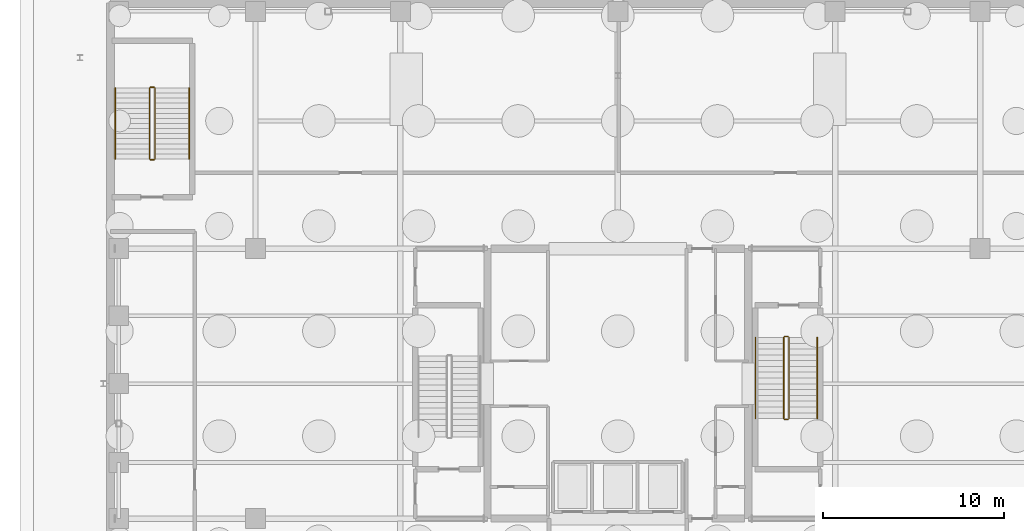
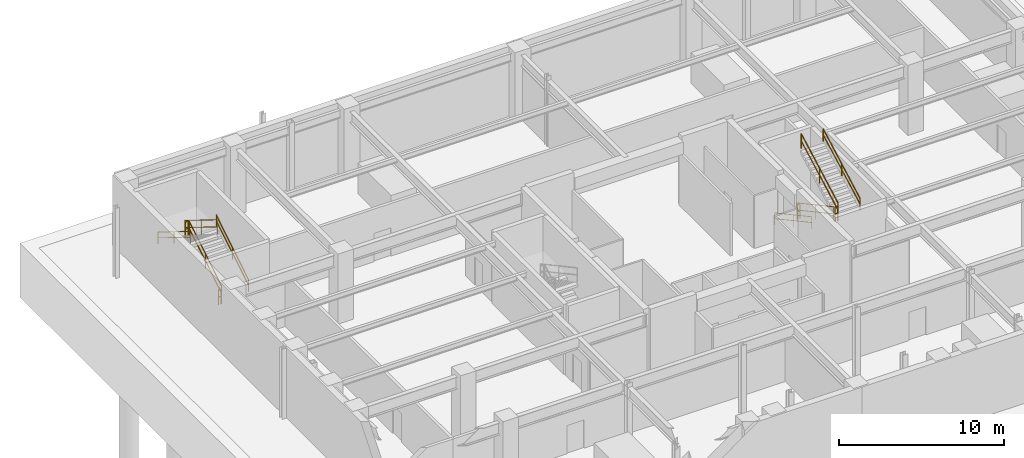
# One storey, part 16 of 18: 12 railings.
"""IFC4 building model written with IfcOpenShell, lengths in metres."""

from ifc_helpers import new_model, si_unit, direction, frame, origin, origin_2d, place, context, subcontext, project, spatial, circle, extrude, material, type_object, element, save


model = new_model("IFC4")

# Units and contexts
model_context = context("Model", 3, precision=1e-05, world=origin(), true_north=direction((0.0, 1.0)))
body_context = subcontext(model_context, "Body", "Model", "MODEL_VIEW")
ifc_project = project(units=[si_unit("LENGTHUNIT", "METRE"), si_unit("AREAUNIT", "SQUARE_METRE"), si_unit("VOLUMEUNIT", "CUBIC_METRE"), si_unit("PLANEANGLEUNIT", "RADIAN"), si_unit("MASSUNIT", "GRAM", prefix="KILO")], contexts=[model_context])

# Site, building, storey
site_placement = place(None, origin())
site = spatial("IfcSite", under=ifc_project, at=site_placement, CompositionType="ELEMENT")
building_placement = place(site_placement, origin())
building = spatial("IfcBuilding", under=site, at=building_placement, Name="Veldorina Hangang Commons", CompositionType="ELEMENT")
storey_placement = place(building_placement, frame((0.0, 0.0, -10.39990234375)))
storey = spatial("IfcBuildingStorey", under=building, at=storey_placement, Name="B02", CompositionType="ELEMENT", Elevation=-10.39990234375)

# Railings
ifc_material_1 = material(Name="Steel Painted Balustrade", Category="steel")
railing_type_1 = type_object("IfcRailingType", Name="RL-GRD-STAIR", PredefinedType="GUARDRAIL", material=ifc_material_1)
railing_1_placement = place(storey_placement, frame((41.14990234375, 26.550048828125, 0.17333984375)))
element("IfcRailing", 1, at=railing_1_placement, inside=storey, type_object=railing_type_1, Name="B02 ST-2 stair guard 1", PredefinedType="GUARDRAIL", context=body_context, shape_type="SweptSolid", body=[
    extrude(circle(Radius=0.02392578125, at=origin_2d()), frame((0.0, 0.0, 1.076171875), z_axis=(0.0, -0.879303672525, 0.476261536852), x_axis=(1.0, 0.0, 0.0)), (0.0, 0.0, 1.0), 5.094970703125),
    extrude(circle(Radius=0.02392578125, at=origin_2d()), frame((0.0, 0.0, 0.550048828125), z_axis=(0.0, -0.879303672525, 0.476261536852), x_axis=(1.0, 0.0, 0.0)), (0.0, 0.0, 1.0), 5.094970703125),
    extrude(circle(Radius=0.02099609375, at=origin_2d()), origin(), (0.0, 0.0, 1.0), 1.052001953125),
    extrude(circle(Radius=0.02099609375, at=origin_2d()), frame((0.0, -2.239990234375, 1.21337890625)), (0.0, 0.0, 1.0), 1.052001953125),
    extrude(circle(Radius=0.02099609375, at=origin_2d()), frame((0.0, -4.47998046875, 2.426513671875)), (0.0, 0.0, 1.0), 1.052001953125),
])
railing_2_placement = place(storey_placement, frame((41.199951171875, 22.02001953125, 2.599853515625)))
element("IfcRailing", 2, at=railing_2_placement, inside=storey, type_object=railing_type_1, Name="B02 ST-2 stair guard 2", PredefinedType="GUARDRAIL", context=body_context, shape_type="SweptSolid", body=[
    extrude(circle(Radius=0.02392578125, at=origin_2d()), frame((0.0, 0.0, 1.076171875), z_axis=(1.0, 0.0, 0.0), x_axis=(0.0, 1.0, 0.0)), (0.0, 0.0, 1.0), 0.199951171875),
    extrude(circle(Radius=0.02392578125, at=origin_2d()), frame((0.0, 0.0, 0.550048828125), z_axis=(1.0, 0.0, 0.0), x_axis=(0.0, 1.0, 0.0)), (0.0, 0.0, 1.0), 0.199951171875),
    extrude(circle(Radius=0.02099609375, at=origin_2d()), origin(), (0.0, 0.0, 1.0), 1.052001953125),
    extrude(circle(Radius=0.02099609375, at=origin_2d()), frame((0.199951171875, 0.0, 0.0)), (0.0, 0.0, 1.0), 1.052001953125),
])
railing_3_placement = place(storey_placement, frame((41.449951171875, 22.070068359375, 2.773193359375)))
element("IfcRailing", 3, at=railing_3_placement, inside=storey, type_object=railing_type_1, Name="B02 ST-2 stair guard 3", PredefinedType="GUARDRAIL", context=body_context, shape_type="SweptSolid", body=[
    extrude(circle(Radius=0.02392578125, at=origin_2d()), frame((0.0, 0.0, 1.076171875), z_axis=(0.0, 0.879283604982, 0.476298584933), x_axis=(-1.0, 0.0, 0.0)), (0.0, 0.0, 1.0), 5.094970703125),
    extrude(circle(Radius=0.02392578125, at=origin_2d()), frame((0.0, 0.0, 0.550048828125), z_axis=(0.0, 0.879283604982, 0.476298584933), x_axis=(-1.0, 0.0, 0.0)), (0.0, 0.0, 1.0), 5.094970703125),
    extrude(circle(Radius=0.02099609375, at=origin_2d()), origin(), (0.0, 0.0, 1.0), 1.052001953125),
    extrude(circle(Radius=0.02099609375, at=origin_2d()), frame((0.0, 2.239990234375, 1.21337890625)), (0.0, 0.0, 1.0), 1.052001953125),
    extrude(circle(Radius=0.02099609375, at=origin_2d()), frame((0.0, 4.47998046875, 2.4267578125)), (0.0, 0.0, 1.0), 1.052001953125),
])
railing_4_placement = place(storey_placement, frame((41.199951171875, 26.60009765625, 0.0)))
element("IfcRailing", 4, at=railing_4_placement, inside=storey, type_object=railing_type_1, Name="B02 ST-2 stair guard 4", PredefinedType="GUARDRAIL", context=body_context, shape_type="SweptSolid", body=[
    extrude(circle(Radius=0.02392578125, at=origin_2d()), frame((0.0, 0.0, 1.076171875), z_axis=(1.0, 0.0, 0.0), x_axis=(0.0, 1.0, 0.0)), (0.0, 0.0, 1.0), 0.199951171875),
    extrude(circle(Radius=0.02392578125, at=origin_2d()), frame((0.0, 0.0, 0.550048828125), z_axis=(1.0, 0.0, 0.0), x_axis=(0.0, 1.0, 0.0)), (0.0, 0.0, 1.0), 0.199951171875),
    extrude(circle(Radius=0.02099609375, at=origin_2d()), origin(), (0.0, 0.0, 1.0), 1.052001953125),
    extrude(circle(Radius=0.02099609375, at=origin_2d()), frame((0.199951171875, 0.0, 0.0)), (0.0, 0.0, 1.0), 1.052001953125),
])
railing_5_placement = place(storey_placement, frame((6.449951171875, 36.39990234375, 0.17333984375)))
element("IfcRailing", 5, at=railing_5_placement, inside=storey, type_object=railing_type_1, Name="B02 ST-P1 stair guard 1", PredefinedType="GUARDRAIL", context=body_context, shape_type="SweptSolid", body=[
    extrude(circle(Radius=0.02392578125, at=origin_2d()), frame((0.0, 0.0, 1.076171875), z_axis=(0.0, 0.850289973577, 0.526314507528), x_axis=(-1.0, 0.0, 0.0)), (0.0, 0.0, 1.0), 4.6103515625),
    extrude(circle(Radius=0.02392578125, at=origin_2d()), frame((0.0, 0.0, 0.550048828125), z_axis=(0.0, 0.850289973577, 0.526314507528), x_axis=(-1.0, 0.0, 0.0)), (0.0, 0.0, 1.0), 4.6103515625),
    extrude(circle(Radius=0.02099609375, at=origin_2d()), origin(), (0.0, 0.0, 1.0), 1.052001953125),
    extrude(circle(Radius=0.02099609375, at=origin_2d()), frame((0.0, 1.9599609375, 1.21337890625)), (0.0, 0.0, 1.0), 1.052001953125),
    extrude(circle(Radius=0.02099609375, at=origin_2d()), frame((0.0, 3.920166015625, 2.426513671875)), (0.0, 0.0, 1.0), 1.052001953125),
])
railing_6_placement = place(storey_placement, frame((6.39990234375, 40.3701171875, 2.599853515625)))
element("IfcRailing", 6, at=railing_6_placement, inside=storey, type_object=railing_type_1, Name="B02 ST-P1 stair guard 2", PredefinedType="GUARDRAIL", context=body_context, shape_type="SweptSolid", body=[
    extrude(circle(Radius=0.02392578125, at=origin_2d()), frame((0.0, 0.0, 1.076171875), z_axis=(-1.0, 0.0, 0.0), x_axis=(0.0, -1.0, 0.0)), (0.0, 0.0, 1.0), 0.199951171875),
    extrude(circle(Radius=0.02392578125, at=origin_2d()), frame((0.0, 0.0, 0.550048828125), z_axis=(-1.0, 0.0, 0.0), x_axis=(0.0, -1.0, 0.0)), (0.0, 0.0, 1.0), 0.199951171875),
    extrude(circle(Radius=0.02099609375, at=origin_2d()), origin(), (0.0, 0.0, 1.0), 1.052001953125),
    extrude(circle(Radius=0.02099609375, at=origin_2d()), frame((-0.199951171875, 0.0, 0.0)), (0.0, 0.0, 1.0), 1.052001953125),
])
railing_7_placement = place(storey_placement, frame((6.14990234375, 40.320068359375, 2.773193359375)))
element("IfcRailing", 7, at=railing_7_placement, inside=storey, type_object=railing_type_1, Name="B02 ST-P1 stair guard 3", PredefinedType="GUARDRAIL", context=body_context, shape_type="SweptSolid", body=[
    extrude(circle(Radius=0.02392578125, at=origin_2d()), frame((0.0, 0.0, 1.076171875), z_axis=(0.0, -0.850266275192, 0.526352791643), x_axis=(1.0, 0.0, 0.0)), (0.0, 0.0, 1.0), 4.610595703125),
    extrude(circle(Radius=0.02392578125, at=origin_2d()), frame((0.0, 0.0, 0.550048828125), z_axis=(0.0, -0.850266275192, 0.526352791643), x_axis=(1.0, 0.0, 0.0)), (0.0, 0.0, 1.0), 4.610595703125),
    extrude(circle(Radius=0.02099609375, at=origin_2d()), origin(), (0.0, 0.0, 1.0), 1.052001953125),
    extrude(circle(Radius=0.02099609375, at=origin_2d()), frame((0.0, -1.9599609375, 1.21337890625)), (0.0, 0.0, 1.0), 1.052001953125),
    extrude(circle(Radius=0.02099609375, at=origin_2d()), frame((0.0, -3.920166015625, 2.4267578125)), (0.0, 0.0, 1.0), 1.052001953125),
])
railing_8_placement = place(storey_placement, frame((6.39990234375, 36.35009765625, 0.0)))
element("IfcRailing", 8, at=railing_8_placement, inside=storey, type_object=railing_type_1, Name="B02 ST-P1 stair guard 4", PredefinedType="GUARDRAIL", context=body_context, shape_type="SweptSolid", body=[
    extrude(circle(Radius=0.02392578125, at=origin_2d()), frame((0.0, 0.0, 1.076171875), z_axis=(-1.0, 0.0, 0.0), x_axis=(0.0, -1.0, 0.0)), (0.0, 0.0, 1.0), 0.199951171875),
    extrude(circle(Radius=0.02392578125, at=origin_2d()), frame((0.0, 0.0, 0.550048828125), z_axis=(-1.0, 0.0, 0.0), x_axis=(0.0, -1.0, 0.0)), (0.0, 0.0, 1.0), 0.199951171875),
    extrude(circle(Radius=0.02099609375, at=origin_2d()), origin(), (0.0, 0.0, 1.0), 1.052001953125),
    extrude(circle(Radius=0.02099609375, at=origin_2d()), frame((-0.199951171875, 0.0, 0.0)), (0.0, 0.0, 1.0), 1.052001953125),
])
ifc_material_2 = material(Name="Stainless Steel Brushed 316", Category="steel")
railing_type_2 = type_object("IfcRailingType", Name="RL-HND-STAIR", PredefinedType="HANDRAIL", material=ifc_material_2)
railing_9_placement = place(storey_placement, frame((39.60009765625, 26.550048828125, 0.17333984375)))
element("IfcRailing", 9, at=railing_9_placement, inside=storey, type_object=railing_type_2, Name="B02 ST-2 stair handrail 1", PredefinedType="HANDRAIL", context=body_context, shape_type="SweptSolid", body=[
    extrude(circle(Radius=0.02392578125, at=origin_2d()), frame((0.0, 0.0, 0.8759765625), z_axis=(0.0, -0.879303672525, 0.476261536852), x_axis=(1.0, 0.0, 0.0)), (0.0, 0.0, 1.0), 5.094970703125),
    extrude(circle(Radius=0.02392578125, at=origin_2d()), frame((0.0, 0.0, 0.449951171875), z_axis=(0.0, -0.879303672525, 0.476261536852), x_axis=(1.0, 0.0, 0.0)), (0.0, 0.0, 1.0), 5.094970703125),
    extrude(circle(Radius=0.02099609375, at=origin_2d()), origin(), (0.0, 0.0, 1.0), 0.851806640625),
    extrude(circle(Radius=0.02099609375, at=origin_2d()), frame((0.0, -2.239990234375, 1.21337890625)), (0.0, 0.0, 1.0), 0.851806640625),
    extrude(circle(Radius=0.02099609375, at=origin_2d()), frame((0.0, -4.47998046875, 2.426513671875)), (0.0, 0.0, 1.0), 0.851806640625),
])
railing_10_placement = place(storey_placement, frame((43.0, 22.070068359375, 2.773193359375)))
element("IfcRailing", 10, at=railing_10_placement, inside=storey, type_object=railing_type_2, Name="B02 ST-2 stair handrail 2", PredefinedType="HANDRAIL", context=body_context, shape_type="SweptSolid", body=[
    extrude(circle(Radius=0.02392578125, at=origin_2d()), frame((0.0, 0.0, 0.8759765625), z_axis=(0.0, 0.879283604982, 0.476298584933), x_axis=(-1.0, 0.0, 0.0)), (0.0, 0.0, 1.0), 5.094970703125),
    extrude(circle(Radius=0.02392578125, at=origin_2d()), frame((0.0, 0.0, 0.449951171875), z_axis=(0.0, 0.879283604982, 0.476298584933), x_axis=(-1.0, 0.0, 0.0)), (0.0, 0.0, 1.0), 5.094970703125),
    extrude(circle(Radius=0.02099609375, at=origin_2d()), origin(), (0.0, 0.0, 1.0), 0.851806640625),
    extrude(circle(Radius=0.02099609375, at=origin_2d()), frame((0.0, 2.239990234375, 1.21337890625)), (0.0, 0.0, 1.0), 0.851806640625),
    extrude(circle(Radius=0.02099609375, at=origin_2d()), frame((0.0, 4.47998046875, 2.4267578125)), (0.0, 0.0, 1.0), 0.851806640625),
])
railing_11_placement = place(storey_placement, frame((8.35009765625, 36.39990234375, 0.17333984375)))
element("IfcRailing", 11, at=railing_11_placement, inside=storey, type_object=railing_type_2, Name="B02 ST-P1 stair handrail 1", PredefinedType="HANDRAIL", context=body_context, shape_type="SweptSolid", body=[
    extrude(circle(Radius=0.02392578125, at=origin_2d()), frame((0.0, 0.0, 0.8759765625), z_axis=(0.0, 0.850289973577, 0.526314507528), x_axis=(-1.0, 0.0, 0.0)), (0.0, 0.0, 1.0), 4.6103515625),
    extrude(circle(Radius=0.02392578125, at=origin_2d()), frame((0.0, 0.0, 0.449951171875), z_axis=(0.0, 0.850289973577, 0.526314507528), x_axis=(-1.0, 0.0, 0.0)), (0.0, 0.0, 1.0), 4.6103515625),
    extrude(circle(Radius=0.02099609375, at=origin_2d()), origin(), (0.0, 0.0, 1.0), 0.851806640625),
    extrude(circle(Radius=0.02099609375, at=origin_2d()), frame((0.0, 1.9599609375, 1.21337890625)), (0.0, 0.0, 1.0), 0.851806640625),
    extrude(circle(Radius=0.02099609375, at=origin_2d()), frame((0.0, 3.920166015625, 2.426513671875)), (0.0, 0.0, 1.0), 0.851806640625),
])
railing_12_placement = place(storey_placement, frame((4.25, 40.320068359375, 2.773193359375)))
element("IfcRailing", 12, at=railing_12_placement, inside=storey, type_object=railing_type_2, Name="B02 ST-P1 stair handrail 2", PredefinedType="HANDRAIL", context=body_context, shape_type="SweptSolid", body=[
    extrude(circle(Radius=0.02392578125, at=origin_2d()), frame((0.0, 0.0, 0.8759765625), z_axis=(0.0, -0.850266275192, 0.526352791643), x_axis=(1.0, 0.0, 0.0)), (0.0, 0.0, 1.0), 4.610595703125),
    extrude(circle(Radius=0.02392578125, at=origin_2d()), frame((0.0, 0.0, 0.449951171875), z_axis=(0.0, -0.850266275192, 0.526352791643), x_axis=(1.0, 0.0, 0.0)), (0.0, 0.0, 1.0), 4.610595703125),
    extrude(circle(Radius=0.02099609375, at=origin_2d()), origin(), (0.0, 0.0, 1.0), 0.851806640625),
    extrude(circle(Radius=0.02099609375, at=origin_2d()), frame((0.0, -1.9599609375, 1.21337890625)), (0.0, 0.0, 1.0), 0.851806640625),
    extrude(circle(Radius=0.02099609375, at=origin_2d()), frame((0.0, -3.920166015625, 2.4267578125)), (0.0, 0.0, 1.0), 0.851806640625),
])

save(model, "model.ifc")
